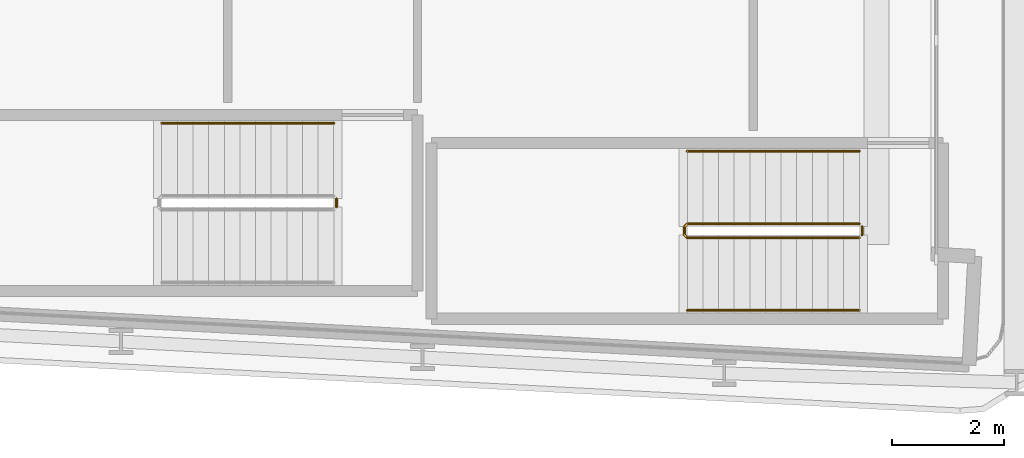
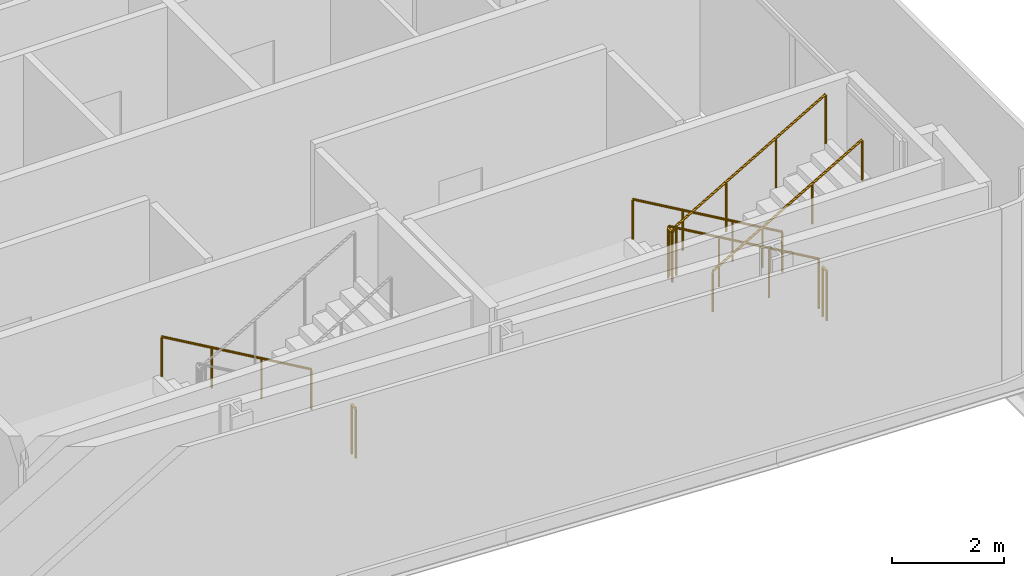
# One storey, part 22 of 25: 6 railings.
"""IFC4 building model written with IfcOpenShell, lengths in metres."""

import ifcopenshell
import ifcopenshell.guid

model = None  # the IFC model being written
_history = None  # IfcOwnerHistory: only IFC2X3 demands one
_inside = {}  # id of a spatial element -> (the spatial element, [elements in it])
_under = {}  # id of a project, library or spatial element -> (it, [spatial elements below it])
_declared = {}  # id of a project -> (the project, [libraries it declares])
_typed = {}  # id of a type object -> (the type object, [elements of that type])
_made_of = {}  # id of a material, layer set ... -> (it, [elements and type objects made of it])


def new_model(schema):
    """Start an empty IFC model of exactly this schema.

    Asked for "IFC4X3", IfcOpenShell would pick the latest addendum, in which some entities
    have other attributes; the version numbers below select the first issue.
    IFC2X3 requires an IfcOwnerHistory on every rooted entity: one is made here for all.
    """
    global model, _history
    if schema == "IFC4X3":
        model = ifcopenshell.file(schema_version=(4, 3, 0, 0))
    else:
        model = ifcopenshell.file(schema=schema)
    _inside.clear()
    _under.clear()
    _declared.clear()
    _typed.clear()
    _made_of.clear()
    _history = None
    if model.schema == "IFC2X3":
        org = make("IfcOrganization", Name="unknown")
        user = make(
            "IfcPersonAndOrganization",
            ThePerson=make("IfcPerson", FamilyName="unknown"),
            TheOrganization=org,
        )
        app = make(
            "IfcApplication",
            ApplicationDeveloper=org,
            Version="unknown",
            ApplicationFullName="unknown",
            ApplicationIdentifier="unknown",
        )
        _history = make(
            "IfcOwnerHistory",
            OwningUser=user,
            OwningApplication=app,
            ChangeAction="ADDED",
            CreationDate=0,
        )
    return model


def make(cls, **values):
    """One entity of the class cls with the attributes given. An attribute that is None is left unset."""
    return model.create_entity(
        cls, **{name: value for name, value in values.items() if value is not None}
    )


def rooted(cls, **values):
    """An entity with a GlobalId (a new one), such as an element, a storey or a relation."""
    return make(cls, GlobalId=ifcopenshell.guid.new(), OwnerHistory=_history, **values)


def si_unit(unit_type, name, prefix=None):
    """IfcSIUnit, for example si_unit("LENGTHUNIT", "METRE", prefix="MILLI")."""
    return make("IfcSIUnit", UnitType=unit_type, Prefix=prefix, Name=name)


def assignment(units):
    """IfcUnitAssignment: the units of a project."""
    return None if units is None else make("IfcUnitAssignment", Units=units)


def point(xyz):
    """IfcCartesianPoint."""
    return None if xyz is None else make("IfcCartesianPoint", Coordinates=xyz)


def direction(xyz):
    """IfcDirection."""
    return None if xyz is None else make("IfcDirection", DirectionRatios=xyz)


def frame(location, z_axis=None, x_axis=None):
    """IfcAxis2Placement3D, a coordinate frame: its origin and axes. An axis left out is left unset."""
    return make(
        "IfcAxis2Placement3D",
        Location=point(location),
        Axis=direction(z_axis),
        RefDirection=direction(x_axis),
    )


def frame_2d(location, x_axis=None):
    """IfcAxis2Placement2D, a coordinate frame in the plane: its origin and x axis."""
    return make(
        "IfcAxis2Placement2D", Location=point(location), RefDirection=direction(x_axis)
    )


def origin():
    """The frame at (0, 0, 0) with its axes left unset."""
    return frame((0.0, 0.0, 0.0))


def origin_2d():
    """The frame at (0, 0) in the plane with its x axis left unset."""
    return frame_2d((0.0, 0.0))


def place(relative_to, where):
    """IfcLocalPlacement: puts the frame where relative to a parent placement (None: the world)."""
    return make(
        "IfcLocalPlacement", PlacementRelTo=relative_to, RelativePlacement=where
    )


def context(
    kind, dimensions, precision=None, world=None, true_north=None, identifier=None
):
    """IfcGeometricRepresentationContext, for example the 3D "Model" context."""
    return make(
        "IfcGeometricRepresentationContext",
        ContextIdentifier=identifier,
        ContextType=kind,
        CoordinateSpaceDimension=dimensions,
        Precision=precision,
        WorldCoordinateSystem=world,
        TrueNorth=true_north,
    )


def subcontext(parent, identifier, kind, view, scale=None):
    """IfcGeometricRepresentationSubContext, for example "Body" below "Model"."""
    return make(
        "IfcGeometricRepresentationSubContext",
        ContextIdentifier=identifier,
        ContextType=kind,
        ParentContext=parent,
        TargetScale=scale,
        TargetView=view,
    )


def project(units=None, contexts=None):
    """IfcProject with its units and contexts."""
    return rooted(
        "IfcProject",
        Name="project",
        RepresentationContexts=contexts,
        UnitsInContext=assignment(units),
    )


def spatial(cls, under=None, at=None, **own):
    """A site, building, storey or space (cls), placed at a placement, below another one or the project."""
    s = rooted(cls, ObjectPlacement=at, **own)
    if under is not None:
        _under.setdefault(under.id(), (under, []))[1].append(s)
    return s


def profile(cls, at=None, kind="AREA", **sizes):
    """A parametric profile (cls). Its sizes go by their IFC names, for example OverallWidth=200.0."""
    return make(cls, ProfileType=kind, Position=at, **sizes)


def circle(**sizes):
    """IfcCircleProfileDef."""
    return profile("IfcCircleProfileDef", **sizes)


def extrude(swept, where, along, depth):
    """IfcExtrudedAreaSolid: the profile swept, set in the frame where, extruded along a direction by depth."""
    return make(
        "IfcExtrudedAreaSolid",
        SweptArea=swept,
        Position=where,
        ExtrudedDirection=direction(along),
        Depth=depth,
    )


def shape(context_of_items, identifier, shape_type, items):
    """IfcShapeRepresentation: the items that make up one representation, for example the "Body"."""
    return make(
        "IfcShapeRepresentation",
        ContextOfItems=context_of_items,
        RepresentationIdentifier=identifier,
        RepresentationType=shape_type,
        Items=items,
    )


def material(Name=None, Category=None):
    """IfcMaterial."""
    return make("IfcMaterial", Name=Name, Category=Category)


def made_of(thing, what):
    """Note that an element or type object is made of a material, layer set ...; save() writes the relation."""
    if what is not None:
        _made_of.setdefault(what.id(), (what, []))[1].append(thing)
    return thing


def type_object(cls, material=None, **own):
    """A type object (cls), such as IfcWallType, which elements share."""
    return made_of(rooted(cls, **own), material)


def element(
    cls,
    number,
    at=None,
    inside=None,
    cuts=None,
    type_object=None,
    material=None,
    context=None,
    identifier="Body",
    shape_type=None,
    held_by="IfcProductDefinitionShape",
    body=None,
    shapes=None,
    **own,
):
    """One element of the class cls, such as IfcWall. Its Tag is "e" and its number.

    at: its placement. inside: the storey or other place that contains it. cuts: it is an
    opening in that element (IfcRelVoidsElement). A single representation is given by context,
    identifier, shape_type and body (its items); several are given by shapes. held_by: the class
    of the entity that holds the representations. save() writes the other relations.
    """
    e = rooted(cls, Tag="e%d" % number, ObjectPlacement=at, **own)
    if body is not None:
        shapes = [shape(context, identifier, shape_type, body)]
    if shapes is not None:
        e.Representation = make(held_by, Representations=shapes)
    if inside is not None:
        _inside.setdefault(inside.id(), (inside, []))[1].append(e)
    if cuts is not None:
        rooted(
            "IfcRelVoidsElement", RelatingBuildingElement=cuts, RelatedOpeningElement=e
        )
    if type_object is not None:
        _typed.setdefault(type_object.id(), (type_object, []))[1].append(e)
    return made_of(e, material)


def aggregate(whole, parts):
    """IfcRelAggregates: a whole, such as a stair, and the parts it consists of."""
    return rooted("IfcRelAggregates", RelatingObject=whole, RelatedObjects=parts)


def save(model, path):
    """Write the relations noted so far, then the file.

    IfcRelAggregates (storeys below a building ...), IfcRelContainedInSpatialStructure (elements
    in a storey), IfcRelDefinesByType, IfcRelAssociatesMaterial and IfcRelDeclares: one each for
    every whole, place, type object, material and project.
    """
    for whole, parts in _under.values():
        aggregate(whole, parts)
    for where, things in _inside.values():
        rooted(
            "IfcRelContainedInSpatialStructure",
            RelatedElements=things,
            RelatingStructure=where,
        )
    for kind, things in _typed.values():
        rooted("IfcRelDefinesByType", RelatedObjects=things, RelatingType=kind)
    for what, things in _made_of.values():
        rooted("IfcRelAssociatesMaterial", RelatedObjects=things, RelatingMaterial=what)
    for by, libraries in _declared.values():
        rooted("IfcRelDeclares", RelatingContext=by, RelatedDefinitions=libraries)
    model.write(path)


model = new_model("IFC4")

# Units and contexts
model_context = context("Model", 3, precision=1e-05, world=origin(), true_north=direction((0.0, 1.0)))
body_context = subcontext(model_context, "Body", "Model", "MODEL_VIEW")
ifc_project = project(units=[si_unit("LENGTHUNIT", "METRE"), si_unit("AREAUNIT", "SQUARE_METRE"), si_unit("VOLUMEUNIT", "CUBIC_METRE"), si_unit("PLANEANGLEUNIT", "RADIAN"), si_unit("MASSUNIT", "GRAM", prefix="KILO")], contexts=[model_context])

# Site, building, storey
site_placement = place(None, origin())
site = spatial("IfcSite", under=ifc_project, at=site_placement, CompositionType="ELEMENT")
building_placement = place(site_placement, origin())
building = spatial("IfcBuilding", under=site, at=building_placement, Name="Kheshtan School and Residences Tower", CompositionType="ELEMENT")
storey_placement = place(building_placement, frame((0.0, 0.0, 34.39990234375)))
storey = spatial("IfcBuildingStorey", under=building, at=storey_placement, Name="L07", CompositionType="ELEMENT", Elevation=34.39990234375)

# Railings
ifc_material_1 = material(Name="Stainless steel balustrade", Category="steel")
railing_type_1 = type_object("IfcRailingType", Name="Stair guard 1100", PredefinedType="GUARDRAIL", material=ifc_material_1)
railing_1_placement = place(storey_placement, frame((87.820068359375, 23.949951171875, 0.16259765625)))
element("IfcRailing", 1, at=railing_1_placement, inside=storey, type_object=railing_type_1, Name="L07 ST4 stair guard 1", PredefinedType="GUARDRAIL", context=body_context, shape_type="SweptSolid", body=[
    extrude(circle(Radius=0.02392578125, at=origin_2d()), frame((0.0, 0.0, 1.076171875), z_axis=(-0.864890721111, 0.0, 0.501960198159), x_axis=(0.0, -1.0, 0.0)), (0.0, 0.0, 1.0), 3.561279296875),
    extrude(circle(Radius=0.02392578125, at=origin_2d()), frame((-3.080078125, 0.0, 2.86376953125), z_axis=(-0.707106781187, -0.707106781187, 0.0), x_axis=(0.707106781187, -0.707106781187, 0.0)), (0.0, 0.0, 1.0), 0.07080078125),
    extrude(circle(Radius=0.02392578125, at=origin_2d()), frame((-3.130126953125, -0.050048828125, 2.86376953125), z_axis=(0.0, -1.0, 0.0), x_axis=(1.0, 0.0, 0.0)), (0.0, 0.0, 1.0), 0.14990234375),
    extrude(circle(Radius=0.02392578125, at=origin_2d()), frame((-3.130126953125, -0.199951171875, 2.86376953125), z_axis=(0.282583949758, -0.282583949758, 0.916674763849), x_axis=(0.707106781187, 0.707106781187, 0.0)), (0.0, 0.0, 1.0), 0.177001953125),
    extrude(circle(Radius=0.02392578125, at=origin_2d()), frame((-3.080078125, -0.25, 3.02587890625), z_axis=(0.864890721111, 0.0, 0.501960198159), x_axis=(0.0, 1.0, 0.0)), (0.0, 0.0, 1.0), 3.561279296875),
    extrude(circle(Radius=0.02099609375, at=origin_2d()), origin(), (0.0, 0.0, 1.0), 1.052001953125),
    extrude(circle(Radius=0.02099609375, at=origin_2d()), frame((-1.026611328125, 0.0, 0.595947265625)), (0.0, 0.0, 1.0), 1.052001953125),
    extrude(circle(Radius=0.02099609375, at=origin_2d()), frame((-2.053466796875, 0.0, 1.191650390625)), (0.0, 0.0, 1.0), 1.052001953125),
    extrude(circle(Radius=0.02099609375, at=origin_2d()), frame((-3.080078125, 0.0, 1.78759765625)), (0.0, 0.0, 1.0), 1.052001953125),
    extrude(circle(Radius=0.02099609375, at=origin_2d()), frame((-3.130126953125, -0.050048828125, 1.78759765625)), (0.0, 0.0, 1.0), 1.052001953125),
    extrude(circle(Radius=0.02099609375, at=origin_2d()), frame((-3.130126953125, -0.199951171875, 1.78759765625)), (0.0, 0.0, 1.0), 1.052001953125),
    extrude(circle(Radius=0.02099609375, at=origin_2d()), frame((-3.080078125, -0.25, 1.949951171875)), (0.0, 0.0, 1.0), 1.052001953125),
    extrude(circle(Radius=0.02099609375, at=origin_2d()), frame((-2.053466796875, -0.25, 2.5458984375)), (0.0, 0.0, 1.0), 1.052001953125),
    extrude(circle(Radius=0.02099609375, at=origin_2d()), frame((-1.026611328125, -0.25, 3.1416015625)), (0.0, 0.0, 1.0), 1.052001953125),
    extrude(circle(Radius=0.02099609375, at=origin_2d()), frame((0.0, -0.25, 3.737548828125)), (0.0, 0.0, 1.0), 1.052001953125),
])
for number, where, name in (
    (2, (87.8701171875, 23.89990234375, 0.0), "L07 ST4 stair guard 2"),
    (3, (78.4599609375, 24.39990234375, 0.0), "L07 ST5 stair guard 2"),
):
    element("IfcRailing", number, at=place(storey_placement, frame(where)), inside=storey, type_object=railing_type_1, Name=name, PredefinedType="GUARDRAIL", context=body_context, shape_type="SweptSolid", body=[
        extrude(circle(Radius=0.02392578125, at=origin_2d()), frame((0.0, 0.0, 1.076171875), z_axis=(0.0, -1.0, 0.0), x_axis=(1.0, 0.0, 0.0)), (0.0, 0.0, 1.0), 0.14990234375),
        extrude(circle(Radius=0.02099609375, at=origin_2d()), origin(), (0.0, 0.0, 1.0), 1.052001953125),
        extrude(circle(Radius=0.02099609375, at=origin_2d()), frame((0.0, -0.14990234375, 0.0)), (0.0, 0.0, 1.0), 1.052001953125),
    ])
ifc_material_2 = material(Name="Stainless steel handrail", Category="steel")
railing_type_2 = type_object("IfcRailingType", Name="Stair handrail 900", PredefinedType="HANDRAIL", material=ifc_material_2)
railing_2_placement = place(storey_placement, frame((87.820068359375, 25.25, 0.16259765625)))
element("IfcRailing", 4, at=railing_2_placement, inside=storey, type_object=railing_type_2, Name="L07 ST4 stair handrail 1", PredefinedType="HANDRAIL", context=body_context, shape_type="SweptSolid", body=[
    extrude(circle(Radius=0.02392578125, at=origin_2d()), frame((0.0, 0.0, 0.8759765625), z_axis=(-0.864890721111, 0.0, 0.501960198159), x_axis=(0.0, -1.0, 0.0)), (0.0, 0.0, 1.0), 3.561279296875),
    extrude(circle(Radius=0.02099609375, at=origin_2d()), origin(), (0.0, 0.0, 1.0), 0.851806640625),
    extrude(circle(Radius=0.02099609375, at=origin_2d()), frame((-1.026611328125, 0.0, 0.595947265625)), (0.0, 0.0, 1.0), 0.851806640625),
    extrude(circle(Radius=0.02099609375, at=origin_2d()), frame((-2.053466796875, 0.0, 1.191650390625)), (0.0, 0.0, 1.0), 0.851806640625),
    extrude(circle(Radius=0.02099609375, at=origin_2d()), frame((-3.080078125, 0.0, 1.78759765625)), (0.0, 0.0, 1.0), 0.851806640625),
])
railing_3_placement = place(storey_placement, frame((84.739990234375, 22.39990234375, 2.112548828125)))
element("IfcRailing", 5, at=railing_3_placement, inside=storey, type_object=railing_type_2, Name="L07 ST4 stair handrail 2", PredefinedType="HANDRAIL", context=body_context, shape_type="SweptSolid", body=[
    extrude(circle(Radius=0.02392578125, at=origin_2d()), frame((0.0, 0.0, 0.8759765625), z_axis=(0.864890721111, 0.0, 0.501960198159), x_axis=(0.0, 1.0, 0.0)), (0.0, 0.0, 1.0), 3.561279296875),
    extrude(circle(Radius=0.02099609375, at=origin_2d()), origin(), (0.0, 0.0, 1.0), 0.851806640625),
    extrude(circle(Radius=0.02099609375, at=origin_2d()), frame((1.026611328125, 0.0, 0.595947265625)), (0.0, 0.0, 1.0), 0.851806640625),
    extrude(circle(Radius=0.02099609375, at=origin_2d()), frame((2.053466796875, 0.0, 1.191650390625)), (0.0, 0.0, 1.0), 0.851806640625),
    extrude(circle(Radius=0.02099609375, at=origin_2d()), frame((3.080078125, 0.0, 1.78759765625)), (0.0, 0.0, 1.0), 0.851806640625),
])
railing_4_placement = place(storey_placement, frame((78.409912109375, 25.75, 0.16259765625)))
element("IfcRailing", 6, at=railing_4_placement, inside=storey, type_object=railing_type_2, Name="L07 ST5 stair handrail 1", PredefinedType="HANDRAIL", context=body_context, shape_type="SweptSolid", body=[
    extrude(circle(Radius=0.02392578125, at=origin_2d()), frame((0.0, 0.0, 0.8759765625), z_axis=(-0.864873446163, 0.0, 0.501989962173), x_axis=(0.0, -1.0, 0.0)), (0.0, 0.0, 1.0), 3.56103515625),
    extrude(circle(Radius=0.02099609375, at=origin_2d()), origin(), (0.0, 0.0, 1.0), 0.851806640625),
    extrude(circle(Radius=0.02099609375, at=origin_2d()), frame((-1.026611328125, 0.0, 0.595947265625)), (0.0, 0.0, 1.0), 0.851806640625),
    extrude(circle(Radius=0.02099609375, at=origin_2d()), frame((-2.05322265625, 0.0, 1.191650390625)), (0.0, 0.0, 1.0), 0.851806640625),
    extrude(circle(Radius=0.02099609375, at=origin_2d()), frame((-3.079833984375, 0.0, 1.78759765625)), (0.0, 0.0, 1.0), 0.851806640625),
])

save(model, "model.ifc")
